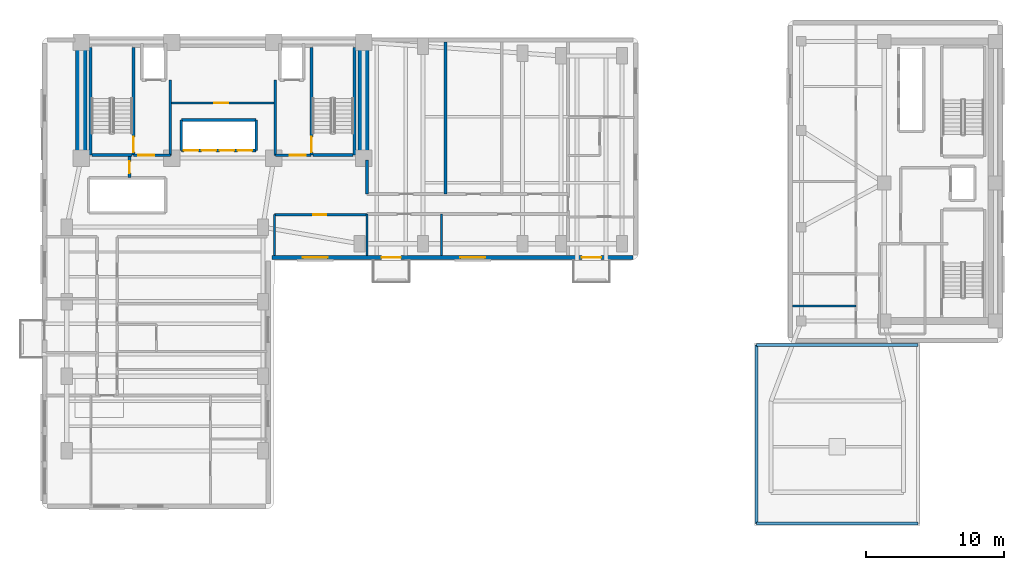
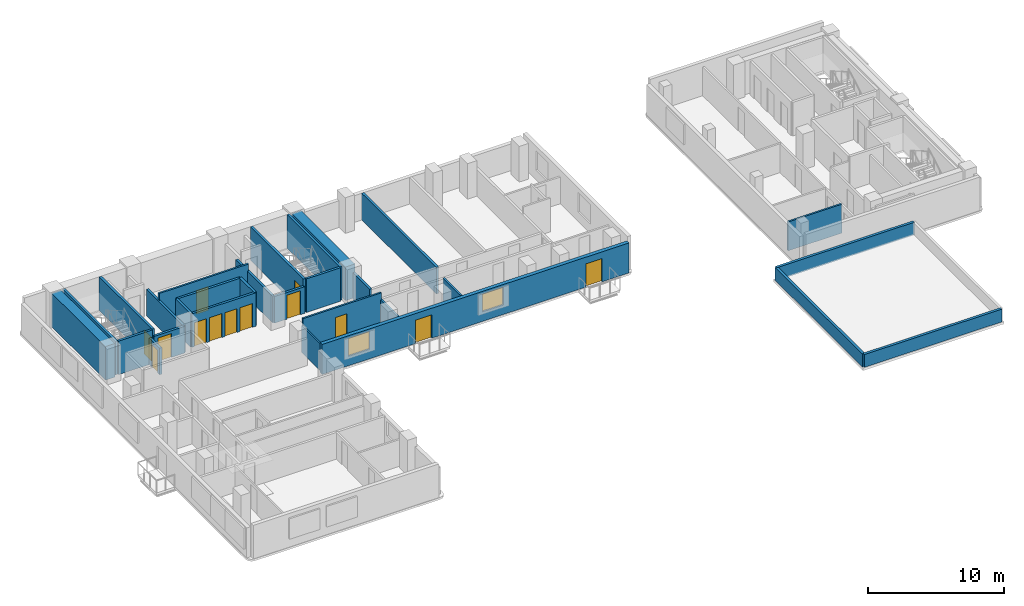
# One storey, part 4 of 11: 29 walls, 13 doors, 2 windows, 15 openings.
"""IFC4 building model written with IfcOpenShell, lengths in metres."""

from ifc_helpers import new_model, si_unit, direction, frame, frame_2d, origin, place, context, subcontext, project, spatial, rectangle, extrude, material, layer, layer_set, type_object, element, fill, save


model = new_model("IFC4")

# Units and contexts
model_context = context("Model", 3, precision=1e-05, world=origin(), true_north=direction((0.0, 1.0)))
body_context = subcontext(model_context, "Body", "Model", "MODEL_VIEW")
ifc_project = project(units=[si_unit("LENGTHUNIT", "METRE"), si_unit("AREAUNIT", "SQUARE_METRE"), si_unit("VOLUMEUNIT", "CUBIC_METRE"), si_unit("PLANEANGLEUNIT", "RADIAN"), si_unit("MASSUNIT", "GRAM", prefix="KILO")], contexts=[model_context])

# Site, building, storey
site_placement = place(None, origin())
site = spatial("IfcSite", under=ifc_project, at=site_placement, CompositionType="ELEMENT")
building_placement = place(site_placement, origin())
building = spatial("IfcBuilding", under=site, at=building_placement, Name="Kuzgunbayir Cultural Tower", CompositionType="ELEMENT")
storey_placement = place(building_placement, frame((0.0, 0.0, 86.60009765625)))
storey = spatial("IfcBuildingStorey", under=building, at=storey_placement, Name="L24", CompositionType="ELEMENT", Elevation=86.60009765625)

# Walls
ifc_material_1 = material(Name="Concrete C60/75", Category="concrete")
ifc_layer_1 = layer(ifc_material_1, 0.800048828125)
ifc_layer_set_1 = layer_set([ifc_layer_1], Name="Concrete C60/75")
wall_type_1 = type_object("IfcWallType", Name="WAL-CORE-800", PredefinedType="SHEAR", material=ifc_layer_set_1)
for number, where, z_axis, x_axis, name in (
    (1, (6.449951171875, 33.800048828125, 0.0), (0.0, 0.0, 1.0), (0.0, 1.0, 0.0), "L24 T1 Core West Shear Wall"),
    (2, (26.89990234375, 33.800048828125, 0.0), (0.0, 0.0, 1.0), (0.0, 1.0, 0.0), "L24 T1 Core East Shear Wall"),
):
    element("IfcWall", number, at=place(storey_placement, frame(where, z_axis=z_axis, x_axis=x_axis)), inside=storey, type_object=wall_type_1, Name=name, PredefinedType="SHEAR", context=body_context, shape_type="SweptSolid", body=[
        extrude(rectangle(XDim=7.949951171875, YDim=0.800048828125, at=frame_2d((3.97509765625, 0.0))), origin(), (0.0, 0.0, 1.0), 3.02001953125),
    ])

# Wall, openings, doors, windows
ifc_material_2 = material(Name="Travertine Buff Ashlar", Category="masonry")
ifc_layer_2 = layer(ifc_material_2, 0.320068359375)
ifc_layer_set_2 = layer_set([ifc_layer_2], Name="Travertine Buff Ashlar")
wall_type_2 = type_object("IfcWallType", Name="WAL-EXT-STONE-320", PredefinedType="STANDARD", material=ifc_layer_set_2)
wall_1_placement = place(storey_placement, frame((20.25, 26.60009765625, 0.0), z_axis=(0.0, 0.0, 1.0), x_axis=(1.0, 0.0, 0.0)))
wall_1 = element("IfcWall", 3, at=wall_1_placement, inside=storey, type_object=wall_type_2, Name="L24 Wing B South Limestone Wall", PredefinedType="STANDARD", context=body_context, shape_type="SweptSolid", body=[
    extrude(rectangle(XDim=26.14990234375, YDim=0.320068359375, at=frame_2d((13.074951171875, 0.0))), origin(), (0.0, 0.0, 1.0), 2.699951171875),
])
opening_1_placement = place(wall_1_placement, frame((7.949951171875, 0.0, 0.0)))
opening_1 = element("IfcOpeningElement", 4, at=opening_1_placement, cuts=wall_1, Name="Opening BD-15", PredefinedType="OPENING", context=body_context, shape_type="SweptSolid", body=[
    extrude(rectangle(XDim=1.39990234375, YDim=2.10009765625, at=frame_2d((0.699951171875, 1.050048828125))), frame((0.0, 0.169921875, 0.0), z_axis=(0.0, -1.0, 0.0), x_axis=(1.0, 0.0, 0.0)), (0.0, 0.0, 1.0), 0.340087890625),
])
opening_2_placement = place(wall_1_placement, frame((22.449951171875, 0.0, 0.0)))
opening_2 = element("IfcOpeningElement", 5, at=opening_2_placement, cuts=wall_1, Name="Opening BD-15", PredefinedType="OPENING", context=body_context, shape_type="SweptSolid", body=[
    extrude(rectangle(XDim=1.39990234375, YDim=2.10009765625, at=frame_2d((0.699951171875, 1.050048828125))), frame((0.0, 0.169921875, 0.0), z_axis=(0.0, -1.0, 0.0), x_axis=(1.0, 0.0, 0.0)), (0.0, 0.0, 1.0), 0.340087890625),
])
opening_3_placement = place(wall_1_placement, frame((2.25, 0.0, 0.85009765625)))
opening_3 = element("IfcOpeningElement", 6, at=opening_3_placement, cuts=wall_1, Name="Opening WH-18", PredefinedType="OPENING", context=body_context, shape_type="SweptSolid", body=[
    extrude(rectangle(XDim=1.800048828125, YDim=1.60009765625, at=frame_2d((0.89990234375, 0.800048828125))), frame((0.0, 0.169921875, 0.0), z_axis=(0.0, -1.0, 0.0), x_axis=(1.0, 0.0, 0.0)), (0.0, 0.0, 1.0), 0.340087890625),
])
opening_4_placement = place(wall_1_placement, frame((13.64990234375, 0.0, 0.85009765625)))
opening_4 = element("IfcOpeningElement", 7, at=opening_4_placement, cuts=wall_1, Name="Opening WH-18", PredefinedType="OPENING", context=body_context, shape_type="SweptSolid", body=[
    extrude(rectangle(XDim=1.800048828125, YDim=1.60009765625, at=frame_2d((0.89990234375, 0.800048828125))), frame((0.0, 0.169921875, 0.0), z_axis=(0.0, -1.0, 0.0), x_axis=(1.0, 0.0, 0.0)), (0.0, 0.0, 1.0), 0.340087890625),
])
ifc_material_3 = material(Name="Thermally Broken Glazed Aluminium", Category="aluminium")
door_type_1 = type_object("IfcDoorType", Name="DR-BALCONY-150", OperationType="SLIDING_TO_RIGHT", PredefinedType="DOOR", material=ifc_material_3)
door_1_placement = place(opening_1_placement, origin())
door_1 = element("IfcDoor", 8, at=door_1_placement, inside=storey, type_object=door_type_1, Name="L24 South Balcony Sliding Door BAL-L24-WB1", OperationType="SLIDING_TO_RIGHT", OverallHeight=2.10009765625, OverallWidth=1.39990234375, PredefinedType="DOOR", context=body_context, shape_type="SweptSolid", body=[
    extrude(rectangle(XDim=1.39990234375, YDim=2.10009765625, at=frame_2d((0.699951171875, 1.050048828125))), frame((0.0, 0.02490234375, 0.0), z_axis=(0.0, -1.0, 0.0), x_axis=(1.0, 0.0, 0.0)), (0.0, 0.0, 1.0), 0.050048828125),
])
fill(opening_1, door_1)
door_2_placement = place(opening_2_placement, origin())
door_2 = element("IfcDoor", 9, at=door_2_placement, inside=storey, type_object=door_type_1, Name="L24 South Balcony Sliding Door BAL-L24-WB3", OperationType="SLIDING_TO_RIGHT", OverallHeight=2.10009765625, OverallWidth=1.39990234375, PredefinedType="DOOR", context=body_context, shape_type="SweptSolid", body=[
    extrude(rectangle(XDim=1.39990234375, YDim=2.10009765625, at=frame_2d((0.699951171875, 1.050048828125))), frame((0.0, 0.02490234375, 0.0), z_axis=(0.0, -1.0, 0.0), x_axis=(1.0, 0.0, 0.0)), (0.0, 0.0, 1.0), 0.050048828125),
])
fill(opening_2, door_2)
ifc_material_4 = material(Name="Solar-Control Triple Glazing", Category="glass")
window_type = type_object("IfcWindowType", Name="WIN-HOTEL-18", PartitioningType="SINGLE_PANEL", PredefinedType="WINDOW", material=ifc_material_4)
window_1_placement = place(opening_3_placement, origin())
window_1 = element("IfcWindow", 10, at=window_1_placement, inside=storey, type_object=window_type, Name="L24 WBS Facade Window 13", OverallHeight=1.60009765625, OverallWidth=1.800048828125, PartitioningType="SINGLE_PANEL", PredefinedType="WINDOW", context=body_context, shape_type="SweptSolid", body=[
    extrude(rectangle(XDim=1.800048828125, YDim=1.60009765625, at=frame_2d((0.89990234375, 0.800048828125))), frame((0.0, 0.030029296875, 0.0), z_axis=(0.0, -1.0, 0.0), x_axis=(1.0, 0.0, 0.0)), (0.0, 0.0, 1.0), 0.06005859375),
])
fill(opening_3, window_1)
window_2_placement = place(opening_4_placement, origin())
window_2 = element("IfcWindow", 11, at=window_2_placement, inside=storey, type_object=window_type, Name="L24 WBS Facade Window 14", OverallHeight=1.60009765625, OverallWidth=1.800048828125, PartitioningType="SINGLE_PANEL", PredefinedType="WINDOW", context=body_context, shape_type="SweptSolid", body=[
    extrude(rectangle(XDim=1.800048828125, YDim=1.60009765625, at=frame_2d((0.89990234375, 0.800048828125))), frame((0.0, 0.030029296875, 0.0), z_axis=(0.0, -1.0, 0.0), x_axis=(1.0, 0.0, 0.0)), (0.0, 0.0, 1.0), 0.06005859375),
])
fill(opening_4, window_2)

# Walls
ifc_layer_3 = layer(ifc_material_2, 0.219970703125)
ifc_layer_set_3 = layer_set([ifc_layer_3], Name="Travertine Buff Ashlar")
wall_type_3 = type_object("IfcWallType", Name="WAL-PARAPET-STONE-220", PredefinedType="PARAPET", material=ifc_layer_set_3)
for number, where, z_axis, x_axis, name in (
    (12, (55.35009765625, 7.35009765625, 0.0), (0.0, 0.0, 1.0), (1.0, 0.0, 0.0), "L24 Limestone Roof Parapet 1"),
    (13, (67.050048828125, 20.25, 0.0), (0.0, 0.0, 1.0), (-1.0, 0.0, 0.0), "L24 Limestone Roof Parapet 3"),
):
    element("IfcWall", number, at=place(storey_placement, frame(where, z_axis=z_axis, x_axis=x_axis)), inside=storey, type_object=wall_type_3, Name=name, PredefinedType="PARAPET", context=body_context, shape_type="SweptSolid", body=[
        extrude(rectangle(XDim=11.699951171875, YDim=0.219970703125, at=frame_2d((5.85009765625, 0.0))), origin(), (0.0, 0.0, 1.0), 1.14990234375),
    ])
wall_2_placement = place(storey_placement, frame((55.35009765625, 20.25, 0.0), z_axis=(0.0, 0.0, 1.0), x_axis=(0.0, -1.0, 0.0)))
element("IfcWall", 14, at=wall_2_placement, inside=storey, type_object=wall_type_3, Name="L24 Limestone Roof Parapet 4", PredefinedType="PARAPET", context=body_context, shape_type="SweptSolid", body=[
    extrude(rectangle(XDim=12.89990234375, YDim=0.219970703125, at=frame_2d((6.449951171875, 0.0))), origin(), (0.0, 0.0, 1.0), 1.14990234375),
])

# Wall, opening, door
ifc_material_5 = material(Name="Acoustic Double-Stud Drywall", Category="gypsum")
ifc_layer_4 = layer(ifc_material_5, 0.14990234375)
ifc_layer_set_4 = layer_set([ifc_layer_4], Name="Acoustic Double-Stud Drywall")
wall_type_4 = type_object("IfcWallType", Name="WAL-PART-ACOUSTIC-150", PredefinedType="PARTITIONING", material=ifc_layer_set_4)
wall_3_placement = place(storey_placement, frame((12.89990234375, 37.800048828125, 0.0), z_axis=(0.0, 0.0, 1.0), x_axis=(1.0, 0.0, 0.0)))
wall_3 = element("IfcWall", 15, at=wall_3_placement, inside=storey, type_object=wall_type_4, Name="L24 Repurposed Core Suite Wall", PredefinedType="PARTITIONING", context=body_context, shape_type="SweptSolid", body=[
    extrude(rectangle(XDim=7.60009765625, YDim=0.14990234375, at=frame_2d((3.800048828125, 0.0))), origin(), (0.0, 0.0, 1.0), 3.02001953125),
])
opening_5_placement = place(wall_3_placement, frame((3.199951171875, 0.0, 0.0)))
opening_5 = element("IfcOpeningElement", 16, at=opening_5_placement, cuts=wall_3, Name="Opening DC-100", PredefinedType="OPENING", context=body_context, shape_type="SweptSolid", body=[
    extrude(rectangle(XDim=1.0, YDim=2.14990234375, at=frame_2d((0.5, 1.074951171875))), frame((0.0, 0.0849609375, 0.0), z_axis=(0.0, -1.0, 0.0), x_axis=(1.0, 0.0, 0.0)), (0.0, 0.0, 1.0), 0.169921875),
])
ifc_material_6 = material(Name="Fire-Rated Veneered Oak Leaf", Category="wood")
door_type_2 = type_object("IfcDoorType", Name="DR-CORE-100", OperationType="NOTDEFINED", PredefinedType="DOOR", material=ifc_material_6)
door_3_placement = place(opening_5_placement, origin())
door_3 = element("IfcDoor", 17, at=door_3_placement, inside=storey, type_object=door_type_2, Name="L24 Core Reading Salon Door", OperationType="SINGLE_SWING_RIGHT", OverallHeight=2.14990234375, OverallWidth=1.0, PredefinedType="DOOR", context=body_context, shape_type="SweptSolid", body=[
    extrude(rectangle(XDim=1.0, YDim=2.14990234375, at=frame_2d((0.5, 1.074951171875))), frame((0.0, 0.02490234375, 0.0), z_axis=(0.0, -1.0, 0.0), x_axis=(1.0, 0.0, 0.0)), (0.0, 0.0, 1.0), 0.050048828125),
])
fill(opening_5, door_3)

wall_4_placement = place(storey_placement, frame((20.449951171875, 29.699951171875, 0.0), z_axis=(0.0, 0.0, 1.0), x_axis=(1.0, 0.0, 0.0)))
wall_4 = element("IfcWall", 18, at=wall_4_placement, inside=storey, type_object=wall_type_4, Name="L24 Waist Alcove North Wall", PredefinedType="PARTITIONING", context=body_context, shape_type="SweptSolid", body=[
    extrude(rectangle(XDim=6.699951171875, YDim=0.14990234375, at=frame_2d((3.35009765625, 0.0))), origin(), (0.0, 0.0, 1.0), 3.02001953125),
])
opening_6_placement = place(wall_4_placement, frame((2.800048828125, 0.0, 0.0)))
opening_6 = element("IfcOpeningElement", 19, at=opening_6_placement, cuts=wall_4, Name="Opening DI-90", PredefinedType="OPENING", context=body_context, shape_type="SweptSolid", body=[
    extrude(rectangle(XDim=0.949951171875, YDim=2.14990234375, at=frame_2d((0.47509765625, 1.074951171875))), frame((0.0, 0.0849609375, 0.0), z_axis=(0.0, -1.0, 0.0), x_axis=(1.0, 0.0, 0.0)), (0.0, 0.0, 1.0), 0.169921875),
])
ifc_material_7 = material(Name="Veneered Oak Single Leaf", Category="wood")
door_type_3 = type_object("IfcDoorType", Name="DR-INT-90", OperationType="NOTDEFINED", PredefinedType="DOOR", material=ifc_material_7)
door_4_placement = place(opening_6_placement, origin())
door_4 = element("IfcDoor", 20, at=door_4_placement, inside=storey, type_object=door_type_3, Name="L24 Waist Alcove Door", OperationType="SINGLE_SWING_LEFT", OverallHeight=2.14990234375, OverallWidth=0.949951171875, PredefinedType="DOOR", context=body_context, shape_type="SweptSolid", body=[
    extrude(rectangle(XDim=0.949951171875, YDim=2.14990234375, at=frame_2d((0.47509765625, 1.074951171875))), frame((0.0, 0.02490234375, 0.0), z_axis=(0.0, -1.0, 0.0), x_axis=(1.0, 0.0, 0.0)), (0.0, 0.0, 1.0), 0.050048828125),
])
fill(opening_6, door_4)

# Walls
wall_5_placement = place(storey_placement, frame((20.449951171875, 26.75, 0.0), z_axis=(0.0, 0.0, 1.0), x_axis=(0.0, 1.0, 0.0)))
element("IfcWall", 21, at=wall_5_placement, inside=storey, type_object=wall_type_4, Name="L24 Waist Alcove West Wall", PredefinedType="PARTITIONING", context=body_context, shape_type="SweptSolid", body=[
    extrude(rectangle(XDim=2.949951171875, YDim=0.14990234375, at=frame_2d((1.47509765625, 0.0))), origin(), (0.0, 0.0, 1.0), 2.39990234375),
])
for number, where, z_axis, x_axis, name in (
    (22, (27.14990234375, 26.75, 0.0), (0.0, 0.0, 1.0), (0.0, 1.0, 0.0), "L24 Waist Alcove East Wall"),
    (23, (32.530029296875, 26.75, 0.0), (0.0, 0.0, 1.0), (0.0, 1.0, 0.0), "L24 Wing B South Divider 1"),
):
    element("IfcWall", number, at=place(storey_placement, frame(where, z_axis=z_axis, x_axis=x_axis)), inside=storey, type_object=wall_type_4, Name=name, PredefinedType="PARTITIONING", context=body_context, shape_type="SweptSolid", body=[
        extrude(rectangle(XDim=3.0, YDim=0.14990234375, at=frame_2d((1.5, 0.0))), origin(), (0.0, 0.0, 1.0), 2.39990234375),
    ])
ifc_material_8 = material(Name="Aerated Concrete Blockwork", Category="masonry")
ifc_layer_5 = layer(ifc_material_8, 0.199951171875)
ifc_layer_set_5 = layer_set([ifc_layer_5], Name="Aerated Concrete Blockwork")
wall_type_5 = type_object("IfcWallType", Name="WAL-PART-FIRE-200", PredefinedType="PARTITIONING", material=ifc_layer_set_5)
wall_6_placement = place(storey_placement, frame((12.89990234375, 34.0, 0.0), z_axis=(0.0, 0.0, 1.0), x_axis=(0.0, 1.0, 0.0)))
element("IfcWall", 24, at=wall_6_placement, inside=storey, type_object=wall_type_5, Name="L24 FFL-1 Lobby East Fire Wall", PredefinedType="PARTITIONING", context=body_context, shape_type="SweptSolid", body=[
    extrude(rectangle(XDim=5.449951171875, YDim=0.199951171875, at=frame_2d((2.72509765625, 0.0))), origin(), (0.0, 0.0, 1.0), 2.39990234375),
])

# Wall, opening, door
wall_7_placement = place(storey_placement, frame((10.239990234375, 34.0, 0.0), z_axis=(0.0, 0.0, 1.0), x_axis=(1.0, 0.0, 0.0)))
wall_7 = element("IfcWall", 25, at=wall_7_placement, inside=storey, type_object=wall_type_5, Name="L24 FFL-1 Lobby South Fire Wall", PredefinedType="PARTITIONING", context=body_context, shape_type="SweptSolid", body=[
    extrude(rectangle(XDim=2.659912109375, YDim=0.199951171875, at=frame_2d((1.330078125, 0.0))), origin(), (0.0, 0.0, 1.0), 2.39990234375),
])
opening_7_placement = place(wall_7_placement, frame((0.35009765625, 0.0, 0.0)))
opening_7 = element("IfcOpeningElement", 26, at=opening_7_placement, cuts=wall_7, Name="Opening DR-FFL-90", PredefinedType="OPENING", context=body_context, shape_type="SweptSolid", body=[
    extrude(rectangle(XDim=1.14990234375, YDim=2.14990234375, at=frame_2d((0.574951171875, 1.074951171875))), frame((0.0, 0.10986328125, 0.0), z_axis=(0.0, -1.0, 0.0), x_axis=(1.0, 0.0, 0.0)), (0.0, 0.0, 1.0), 0.219970703125),
])
ifc_material_9 = material(Name="Steel S355J2", Category="steel")
door_type_4 = type_object("IfcDoorType", Name="DR-FFL-90", OperationType="NOTDEFINED", PredefinedType="DOOR", material=ifc_material_9)
door_5_placement = place(opening_7_placement, origin())
door_5 = element("IfcDoor", 27, at=door_5_placement, inside=storey, type_object=door_type_4, Name="L24 Firefighting Lobby 1 Door", OperationType="SINGLE_SWING_LEFT", OverallHeight=2.14990234375, OverallWidth=1.14990234375, PredefinedType="DOOR", context=body_context, shape_type="SweptSolid", body=[
    extrude(rectangle(XDim=1.14990234375, YDim=2.14990234375, at=frame_2d((0.574951171875, 1.074951171875))), frame((0.0, 0.02490234375, 0.0), z_axis=(0.0, -1.0, 0.0), x_axis=(1.0, 0.0, 0.0)), (0.0, 0.0, 1.0), 0.050048828125),
])
fill(opening_7, door_5)

# Wall
wall_8_placement = place(storey_placement, frame((20.5, 34.0, 0.0), z_axis=(0.0, 0.0, 1.0), x_axis=(0.0, 1.0, 0.0)))
element("IfcWall", 28, at=wall_8_placement, inside=storey, type_object=wall_type_5, Name="L24 FFL-2 Lobby West Fire Wall", PredefinedType="PARTITIONING", context=body_context, shape_type="SweptSolid", body=[
    extrude(rectangle(XDim=5.449951171875, YDim=0.199951171875, at=frame_2d((2.72509765625, 0.0))), origin(), (0.0, 0.0, 1.0), 2.39990234375),
])

# Wall, opening, door
wall_9_placement = place(storey_placement, frame((20.5, 34.0, 0.0), z_axis=(0.0, 0.0, 1.0), x_axis=(1.0, 0.0, 0.0)))
wall_9 = element("IfcWall", 29, at=wall_9_placement, inside=storey, type_object=wall_type_5, Name="L24 FFL-2 Lobby South Fire Wall", PredefinedType="PARTITIONING", context=body_context, shape_type="SweptSolid", body=[
    extrude(rectangle(XDim=2.60009765625, YDim=0.199951171875, at=frame_2d((1.300048828125, 0.0))), origin(), (0.0, 0.0, 1.0), 2.39990234375),
])
opening_8_placement = place(wall_9_placement, frame((1.050048828125, 0.0, 0.0)))
opening_8 = element("IfcOpeningElement", 30, at=opening_8_placement, cuts=wall_9, Name="Opening DR-FFL-90", PredefinedType="OPENING", context=body_context, shape_type="SweptSolid", body=[
    extrude(rectangle(XDim=1.14990234375, YDim=2.14990234375, at=frame_2d((0.574951171875, 1.074951171875))), frame((0.0, 0.10986328125, 0.0), z_axis=(0.0, -1.0, 0.0), x_axis=(1.0, 0.0, 0.0)), (0.0, 0.0, 1.0), 0.219970703125),
])
door_6_placement = place(opening_8_placement, origin())
door_6 = element("IfcDoor", 31, at=door_6_placement, inside=storey, type_object=door_type_4, Name="L24 Firefighting Lobby 2 Door", OperationType="SINGLE_SWING_RIGHT", OverallHeight=2.14990234375, OverallWidth=1.14990234375, PredefinedType="DOOR", context=body_context, shape_type="SweptSolid", body=[
    extrude(rectangle(XDim=1.14990234375, YDim=2.14990234375, at=frame_2d((0.574951171875, 1.074951171875))), frame((0.0, 0.02490234375, 0.0), z_axis=(0.0, -1.0, 0.0), x_axis=(1.0, 0.0, 0.0)), (0.0, 0.0, 1.0), 0.050048828125),
])
fill(opening_8, door_6)

wall_10_placement = place(storey_placement, frame((9.949951171875, 32.39990234375, 0.0), z_axis=(0.0, 0.0, 1.0), x_axis=(0.0, 1.0, 0.0)))
wall_10 = element("IfcWall", 32, at=wall_10_placement, inside=storey, type_object=wall_type_5, Name="L24 West Core Service Closet Wall", PredefinedType="PARTITIONING", context=body_context, shape_type="SweptSolid", body=[
    extrude(rectangle(XDim=1.52001953125, YDim=0.199951171875, at=frame_2d((0.760009765625, 0.0))), origin(), (0.0, 0.0, 1.0), 2.39990234375),
])
opening_9_placement = place(wall_10_placement, frame((0.320068359375, 0.0, 0.0)))
opening_9 = element("IfcOpeningElement", 33, at=opening_9_placement, cuts=wall_10, Name="Opening DR-RSR-60", PredefinedType="OPENING", context=body_context, shape_type="SweptSolid", body=[
    extrude(rectangle(XDim=0.85009765625, YDim=2.050048828125, at=frame_2d((0.425048828125, 1.02490234375))), frame((0.0, 0.10986328125, 0.0), z_axis=(0.0, -1.0, 0.0), x_axis=(1.0, 0.0, 0.0)), (0.0, 0.0, 1.0), 0.219970703125),
])
ifc_material_10 = material(Name="Steel Access Leaf", Category="steel")
door_type_5 = type_object("IfcDoorType", Name="DR-RISER-60", OperationType="NOTDEFINED", PredefinedType="DOOR", material=ifc_material_10)
door_7_placement = place(opening_9_placement, origin())
door_7 = element("IfcDoor", 34, at=door_7_placement, inside=storey, type_object=door_type_5, Name="L24 Cleaner Utility Store Door", OperationType="SINGLE_SWING_LEFT", OverallHeight=2.050048828125, OverallWidth=0.85009765625, PredefinedType="DOOR", context=body_context, shape_type="SweptSolid", body=[
    extrude(rectangle(XDim=0.85009765625, YDim=2.050048828125, at=frame_2d((0.425048828125, 1.02490234375))), frame((0.0, 0.02490234375, 0.0), z_axis=(0.0, -1.0, 0.0), x_axis=(1.0, 0.0, 0.0)), (0.0, 0.0, 1.0), 0.050048828125),
])
fill(opening_9, door_7)

# Walls
wall_11_placement = place(storey_placement, frame((27.14990234375, 31.199951171875, 0.0), z_axis=(0.0, 0.0, 1.0), x_axis=(0.0, 1.0, 0.0)))
element("IfcWall", 35, at=wall_11_placement, inside=storey, type_object=wall_type_5, Name="L24 Wing B North Core Closure Wall", PredefinedType="PARTITIONING", context=body_context, shape_type="SweptSolid", body=[
    extrude(rectangle(XDim=2.47998046875, YDim=0.199951171875, at=frame_2d((1.239990234375, 0.0))), origin(), (0.0, 0.0, 1.0), 2.39990234375),
])
wall_12_placement = place(storey_placement, frame((32.820068359375, 31.199951171875, 0.0), z_axis=(0.0, 0.0, 1.0), x_axis=(0.0, 1.0, 0.0)))
element("IfcWall", 36, at=wall_12_placement, inside=storey, type_object=wall_type_5, Name="L24 Wing B North Party Wall 1", PredefinedType="PARTITIONING", context=body_context, shape_type="SweptSolid", body=[
    extrude(rectangle(XDim=11.0, YDim=0.199951171875, at=frame_2d((5.5, 0.0))), origin(), (0.0, 0.0, 1.0), 2.39990234375),
])
ifc_material_11 = material(Name="Moisture-Resistant Tile Partition", Category="gypsum")
ifc_layer_6 = layer(ifc_material_11, 0.14990234375)
ifc_layer_set_6 = layer_set([ifc_layer_6], Name="Moisture-Resistant Tile Partition")
wall_type_6 = type_object("IfcWallType", Name="WAL-PART-WET-150", PredefinedType="PARTITIONING", material=ifc_layer_set_6)
wall_13_placement = place(storey_placement, frame((57.949951171875, 23.10009765625, 0.0), z_axis=(0.0, 0.0, 1.0), x_axis=(1.0, 0.0, 0.0)))
element("IfcWall", 37, at=wall_13_placement, inside=storey, type_object=wall_type_6, Name="L24 Companion WC North Wall", PredefinedType="PARTITIONING", context=body_context, shape_type="SweptSolid", body=[
    extrude(rectangle(XDim=4.60009765625, YDim=0.14990234375, at=frame_2d((2.300048828125, 0.0))), origin(), (0.0, 0.0, 1.0), 2.599853515625),
])

# Wall, openings, doors
ifc_material_12 = material(Name="Concrete C40/50", Category="concrete")
ifc_layer_7 = layer(ifc_material_12, 0.199951171875)
ifc_layer_set_7 = layer_set([ifc_layer_7], Name="Concrete C40/50")
wall_type_7 = type_object("IfcWallType", Name="WAL-SHAFT-200", PredefinedType="MOVABLE", material=ifc_layer_set_7)
wall_14_placement = place(storey_placement, frame((13.699951171875, 34.35009765625, 0.0), z_axis=(0.0, 0.0, 1.0), x_axis=(1.0, 0.0, 0.0)))
wall_14 = element("IfcWall", 38, at=wall_14_placement, inside=storey, type_object=wall_type_7, Name="L24 Mid-Rise Lift Front Wall", PredefinedType="MOVABLE", context=body_context, shape_type="SweptSolid", body=[
    extrude(rectangle(XDim=5.420166015625, YDim=0.199951171875, at=frame_2d((2.7099609375, 0.0))), origin(), (0.0, 0.0, 1.0), 3.02001953125),
])
opening_10_placement = place(wall_14_placement, frame((0.179931640625, 0.0, 0.0)))
opening_10 = element("IfcOpeningElement", 39, at=opening_10_placement, cuts=wall_14, Name="Opening LD", PredefinedType="OPENING", context=body_context, shape_type="SweptSolid", body=[
    extrude(rectangle(XDim=1.050048828125, YDim=2.14990234375, at=frame_2d((0.52490234375, 1.074951171875))), frame((0.0, 0.10986328125, 0.0), z_axis=(0.0, -1.0, 0.0), x_axis=(1.0, 0.0, 0.0)), (0.0, 0.0, 1.0), 0.219970703125),
])
opening_11_placement = place(wall_14_placement, frame((1.469970703125, 0.0, 0.0)))
opening_11 = element("IfcOpeningElement", 40, at=opening_11_placement, cuts=wall_14, Name="Opening LD", PredefinedType="OPENING", context=body_context, shape_type="SweptSolid", body=[
    extrude(rectangle(XDim=1.050048828125, YDim=2.14990234375, at=frame_2d((0.52490234375, 1.074951171875))), frame((0.0, 0.10986328125, 0.0), z_axis=(0.0, -1.0, 0.0), x_axis=(1.0, 0.0, 0.0)), (0.0, 0.0, 1.0), 0.219970703125),
])
opening_12_placement = place(wall_14_placement, frame((2.780029296875, 0.0, 0.0)))
opening_12 = element("IfcOpeningElement", 41, at=opening_12_placement, cuts=wall_14, Name="Opening LD", PredefinedType="OPENING", context=body_context, shape_type="SweptSolid", body=[
    extrude(rectangle(XDim=1.050048828125, YDim=2.14990234375, at=frame_2d((0.52490234375, 1.074951171875))), frame((0.0, 0.10986328125, 0.0), z_axis=(0.0, -1.0, 0.0), x_axis=(1.0, 0.0, 0.0)), (0.0, 0.0, 1.0), 0.219970703125),
])
opening_13_placement = place(wall_14_placement, frame((4.080078125, 0.0, 0.0)))
opening_13 = element("IfcOpeningElement", 42, at=opening_13_placement, cuts=wall_14, Name="Opening LD", PredefinedType="OPENING", context=body_context, shape_type="SweptSolid", body=[
    extrude(rectangle(XDim=1.050048828125, YDim=2.14990234375, at=frame_2d((0.52490234375, 1.074951171875))), frame((0.0, 0.10986328125, 0.0), z_axis=(0.0, -1.0, 0.0), x_axis=(1.0, 0.0, 0.0)), (0.0, 0.0, 1.0), 0.219970703125),
])
ifc_material_13 = material(Name="Brushed Stainless Steel", Category="steel")
door_type_6 = type_object("IfcDoorType", Name="DR-LIFT-LANDING", OperationType="SLIDING_TO_LEFT", PredefinedType="DOOR", material=ifc_material_13)
door_8_placement = place(opening_10_placement, origin())
door_8 = element("IfcDoor", 43, at=door_8_placement, inside=storey, type_object=door_type_6, Name="L24 Lift PM-1 Landing Door", OperationType="SLIDING_TO_LEFT", OverallHeight=2.14990234375, OverallWidth=1.050048828125, PredefinedType="DOOR", context=body_context, shape_type="SweptSolid", body=[
    extrude(rectangle(XDim=1.050048828125, YDim=2.14990234375, at=frame_2d((0.52490234375, 1.074951171875))), frame((0.0, 0.02490234375, 0.0), z_axis=(0.0, -1.0, 0.0), x_axis=(1.0, 0.0, 0.0)), (0.0, 0.0, 1.0), 0.050048828125),
])
fill(opening_10, door_8)
door_9_placement = place(opening_11_placement, origin())
door_9 = element("IfcDoor", 44, at=door_9_placement, inside=storey, type_object=door_type_6, Name="L24 Lift PM-2 Landing Door", OperationType="SLIDING_TO_LEFT", OverallHeight=2.14990234375, OverallWidth=1.050048828125, PredefinedType="DOOR", context=body_context, shape_type="SweptSolid", body=[
    extrude(rectangle(XDim=1.050048828125, YDim=2.14990234375, at=frame_2d((0.52490234375, 1.074951171875))), frame((0.0, 0.02490234375, 0.0), z_axis=(0.0, -1.0, 0.0), x_axis=(1.0, 0.0, 0.0)), (0.0, 0.0, 1.0), 0.050048828125),
])
fill(opening_11, door_9)
door_10_placement = place(opening_12_placement, origin())
door_10 = element("IfcDoor", 45, at=door_10_placement, inside=storey, type_object=door_type_6, Name="L24 Lift PM-3 Landing Door", OperationType="SLIDING_TO_LEFT", OverallHeight=2.14990234375, OverallWidth=1.050048828125, PredefinedType="DOOR", context=body_context, shape_type="SweptSolid", body=[
    extrude(rectangle(XDim=1.050048828125, YDim=2.14990234375, at=frame_2d((0.52490234375, 1.074951171875))), frame((0.0, 0.02490234375, 0.0), z_axis=(0.0, -1.0, 0.0), x_axis=(1.0, 0.0, 0.0)), (0.0, 0.0, 1.0), 0.050048828125),
])
fill(opening_12, door_10)
door_11_placement = place(opening_13_placement, origin())
door_11 = element("IfcDoor", 46, at=door_11_placement, inside=storey, type_object=door_type_6, Name="L24 Lift PM-4 Landing Door", OperationType="SLIDING_TO_LEFT", OverallHeight=2.14990234375, OverallWidth=1.050048828125, PredefinedType="DOOR", context=body_context, shape_type="SweptSolid", body=[
    extrude(rectangle(XDim=1.050048828125, YDim=2.14990234375, at=frame_2d((0.52490234375, 1.074951171875))), frame((0.0, 0.02490234375, 0.0), z_axis=(0.0, -1.0, 0.0), x_axis=(1.0, 0.0, 0.0)), (0.0, 0.0, 1.0), 0.050048828125),
])
fill(opening_13, door_11)

# Walls
wall_15_placement = place(storey_placement, frame((13.699951171875, 36.550048828125, 0.0), z_axis=(0.0, 0.0, 1.0), x_axis=(1.0, 0.0, 0.0)))
element("IfcWall", 47, at=wall_15_placement, inside=storey, type_object=wall_type_7, Name="L24 Mid-Rise Lift Shaft North Wall", PredefinedType="MOVABLE", context=body_context, shape_type="SweptSolid", body=[
    extrude(rectangle(XDim=5.420166015625, YDim=0.199951171875, at=frame_2d((2.7099609375, 0.0))), origin(), (0.0, 0.0, 1.0), 3.02001953125),
])
for number, where, z_axis, x_axis, name in (
    (48, (13.699951171875, 34.35009765625, 0.0), (0.0, 0.0, 1.0), (0.0, 1.0, 0.0), "L24 Mid-Rise Lift Shaft West Wall"),
    (49, (19.1201171875, 34.35009765625, 0.0), (0.0, 0.0, 1.0), (0.0, 1.0, 0.0), "L24 Mid-Rise Lift Shaft East Wall"),
):
    element("IfcWall", number, at=place(storey_placement, frame(where, z_axis=z_axis, x_axis=x_axis)), inside=storey, type_object=wall_type_7, Name=name, PredefinedType="MOVABLE", context=body_context, shape_type="SweptSolid", body=[
        extrude(rectangle(XDim=2.199951171875, YDim=0.199951171875, at=frame_2d((1.10009765625, 0.0))), origin(), (0.0, 0.0, 1.0), 3.02001953125),
    ])
ifc_layer_8 = layer(ifc_material_12, 0.199951171875)
ifc_layer_set_8 = layer_set([ifc_layer_8], Name="Concrete C40/50")
wall_type_8 = type_object("IfcWallType", Name="WAL-STAIR-RC-200", PredefinedType="SHEAR", material=ifc_layer_set_8)
wall_16_placement = place(storey_placement, frame((7.1201171875, 34.02001953125, 0.0), z_axis=(0.0, 0.0, 1.0), x_axis=(0.0, 1.0, 0.0)))
element("IfcWall", 50, at=wall_16_placement, inside=storey, type_object=wall_type_8, Name="L24 Stair ST-1 West Structural Wall", PredefinedType="SHEAR", context=body_context, shape_type="SweptSolid", body=[
    extrude(rectangle(XDim=7.780029296875, YDim=0.199951171875, at=frame_2d((3.89013671875, 0.0))), origin(), (0.0, 0.0, 1.0), 3.02001953125),
])

# Wall, opening, door
wall_17_placement = place(storey_placement, frame((10.239990234375, 34.02001953125, 0.0), z_axis=(0.0, 0.0, 1.0), x_axis=(0.0, 1.0, 0.0)))
wall_17 = element("IfcWall", 51, at=wall_17_placement, inside=storey, type_object=wall_type_8, Name="L24 Stair ST-1 East Structural Wall", PredefinedType="SHEAR", context=body_context, shape_type="SweptSolid", body=[
    extrude(rectangle(XDim=7.780029296875, YDim=0.199951171875, at=frame_2d((3.89013671875, 0.0))), origin(), (0.0, 0.0, 1.0), 3.02001953125),
])
opening_14_placement = place(wall_17_placement, frame((0.219970703125, 0.0, 0.0)))
opening_14 = element("IfcOpeningElement", 52, at=opening_14_placement, cuts=wall_17, Name="Opening DR-STAIR-90", PredefinedType="OPENING", context=body_context, shape_type="SweptSolid", body=[
    extrude(rectangle(XDim=1.10009765625, YDim=2.14990234375, at=frame_2d((0.550048828125, 1.074951171875))), frame((0.0, 0.10986328125, 0.0), z_axis=(0.0, -1.0, 0.0), x_axis=(1.0, 0.0, 0.0)), (0.0, 0.0, 1.0), 0.219970703125),
])
door_type_7 = type_object("IfcDoorType", Name="DR-STAIR-90", OperationType="NOTDEFINED", PredefinedType="DOOR", material=ifc_material_9)
door_12_placement = place(opening_14_placement, origin())
door_12 = element("IfcDoor", 53, at=door_12_placement, inside=storey, type_object=door_type_7, Name="L24 Stair ST-1 Fire Door", OperationType="SINGLE_SWING_RIGHT", OverallHeight=2.14990234375, OverallWidth=1.10009765625, PredefinedType="DOOR", context=body_context, shape_type="SweptSolid", body=[
    extrude(rectangle(XDim=1.10009765625, YDim=2.14990234375, at=frame_2d((0.550048828125, 1.074951171875))), frame((0.0, 0.02490234375, 0.0), z_axis=(0.0, -1.0, 0.0), x_axis=(1.0, 0.0, 0.0)), (0.0, 0.0, 1.0), 0.050048828125),
])
fill(opening_14, door_12)

# Wall
wall_18_placement = place(storey_placement, frame((7.239990234375, 34.02001953125, 0.0), z_axis=(0.0, 0.0, 1.0), x_axis=(1.0, 0.0, 0.0)))
element("IfcWall", 54, at=wall_18_placement, inside=storey, type_object=wall_type_8, Name="L24 Stair ST-1 South Structural Wall", PredefinedType="SHEAR", context=body_context, shape_type="SweptSolid", body=[
    extrude(rectangle(XDim=2.880126953125, YDim=0.199951171875, at=frame_2d((1.43994140625, 0.0))), origin(), (0.0, 0.0, 1.0), 3.02001953125),
])

# Wall, opening, door
wall_19_placement = place(storey_placement, frame((23.1201171875, 34.02001953125, 0.0), z_axis=(0.0, 0.0, 1.0), x_axis=(0.0, 1.0, 0.0)))
wall_19 = element("IfcWall", 55, at=wall_19_placement, inside=storey, type_object=wall_type_8, Name="L24 Stair ST-2 West Structural Wall", PredefinedType="SHEAR", context=body_context, shape_type="SweptSolid", body=[
    extrude(rectangle(XDim=7.780029296875, YDim=0.199951171875, at=frame_2d((3.89013671875, 0.0))), origin(), (0.0, 0.0, 1.0), 3.02001953125),
])
opening_15_placement = place(wall_19_placement, frame((0.219970703125, 0.0, 0.0)))
opening_15 = element("IfcOpeningElement", 56, at=opening_15_placement, cuts=wall_19, Name="Opening DR-STAIR-90", PredefinedType="OPENING", context=body_context, shape_type="SweptSolid", body=[
    extrude(rectangle(XDim=1.10009765625, YDim=2.14990234375, at=frame_2d((0.550048828125, 1.074951171875))), frame((0.0, 0.10986328125, 0.0), z_axis=(0.0, -1.0, 0.0), x_axis=(1.0, 0.0, 0.0)), (0.0, 0.0, 1.0), 0.219970703125),
])
door_13_placement = place(opening_15_placement, origin())
door_13 = element("IfcDoor", 57, at=door_13_placement, inside=storey, type_object=door_type_7, Name="L24 Stair ST-2 Fire Door", OperationType="SINGLE_SWING_RIGHT", OverallHeight=2.14990234375, OverallWidth=1.10009765625, PredefinedType="DOOR", context=body_context, shape_type="SweptSolid", body=[
    extrude(rectangle(XDim=1.10009765625, YDim=2.14990234375, at=frame_2d((0.550048828125, 1.074951171875))), frame((0.0, 0.02490234375, 0.0), z_axis=(0.0, -1.0, 0.0), x_axis=(1.0, 0.0, 0.0)), (0.0, 0.0, 1.0), 0.050048828125),
])
fill(opening_15, door_13)

# Walls
wall_20_placement = place(storey_placement, frame((26.239990234375, 34.02001953125, 0.0), z_axis=(0.0, 0.0, 1.0), x_axis=(0.0, 1.0, 0.0)))
element("IfcWall", 58, at=wall_20_placement, inside=storey, type_object=wall_type_8, Name="L24 Stair ST-2 East Structural Wall", PredefinedType="SHEAR", context=body_context, shape_type="SweptSolid", body=[
    extrude(rectangle(XDim=7.780029296875, YDim=0.199951171875, at=frame_2d((3.89013671875, 0.0))), origin(), (0.0, 0.0, 1.0), 3.02001953125),
])
wall_21_placement = place(storey_placement, frame((23.239990234375, 34.02001953125, 0.0), z_axis=(0.0, 0.0, 1.0), x_axis=(1.0, 0.0, 0.0)))
element("IfcWall", 59, at=wall_21_placement, inside=storey, type_object=wall_type_8, Name="L24 Stair ST-2 South Structural Wall", PredefinedType="SHEAR", context=body_context, shape_type="SweptSolid", body=[
    extrude(rectangle(XDim=2.880126953125, YDim=0.199951171875, at=frame_2d((1.43994140625, 0.0))), origin(), (0.0, 0.0, 1.0), 3.02001953125),
])

save(model, "model.ifc")
